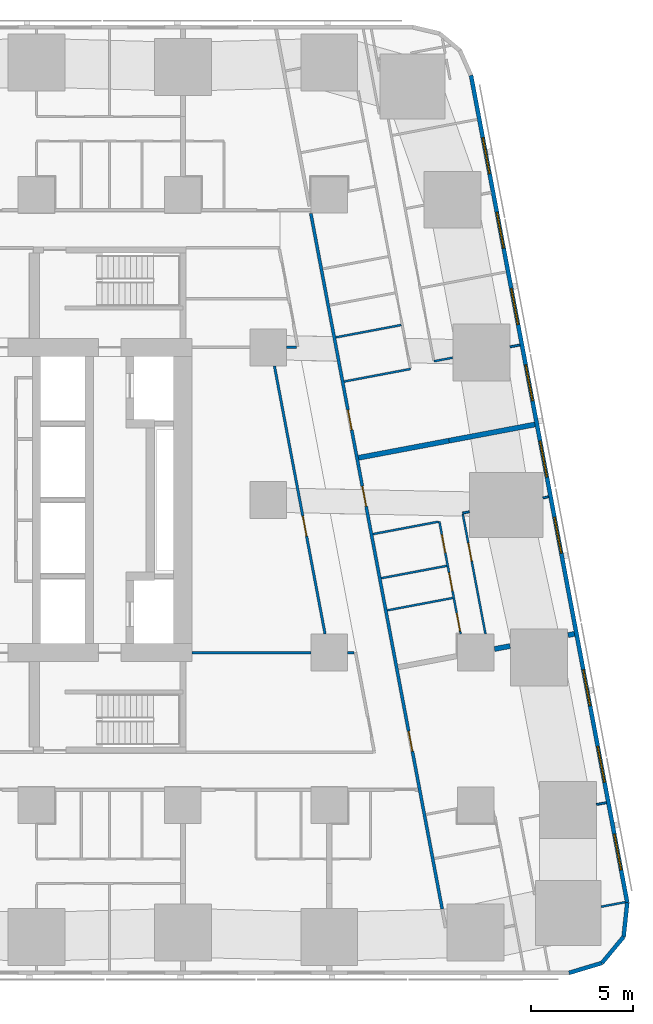
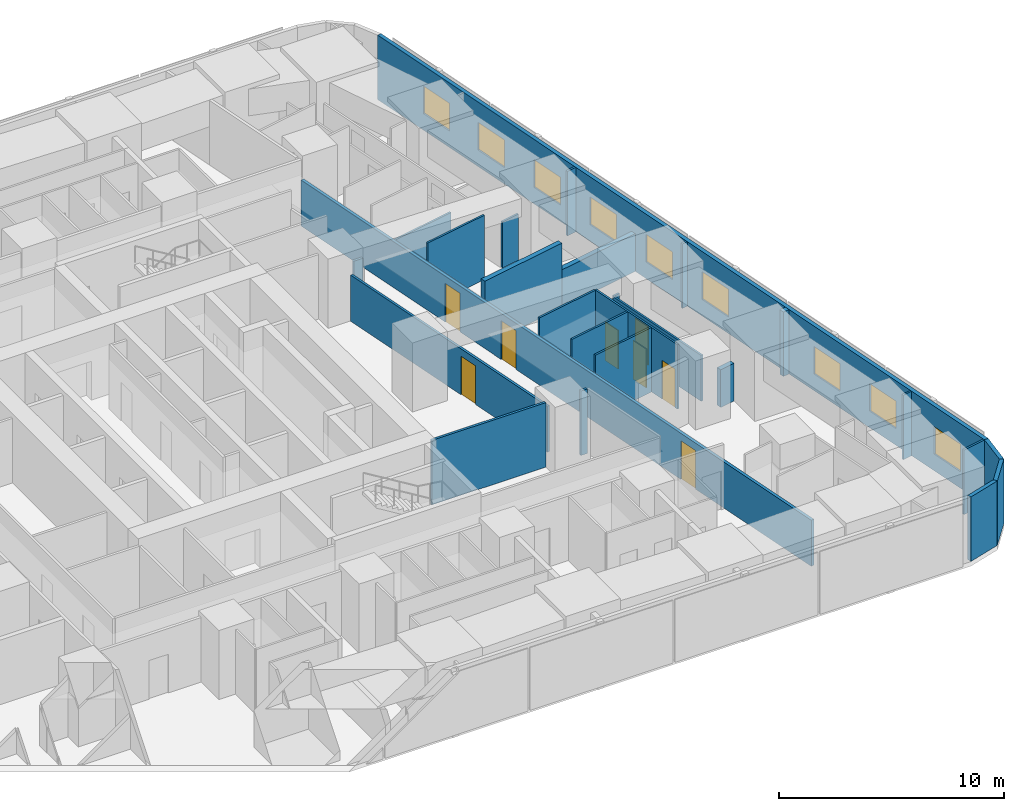
# One storey, part 8 of 16: 26 walls, 9 windows, 8 doors, 17 openings.
"""IFC4 building model written with IfcOpenShell, lengths in metres."""

from ifc_helpers import new_model, si_unit, direction, frame, frame_2d, origin, place, context, subcontext, project, spatial, rectangle, extrude, material, layer, layer_set, type_object, element, fill, save


model = new_model("IFC4")

# Units and contexts
model_context = context("Model", 3, precision=1e-05, world=origin(), true_north=direction((0.0, 1.0)))
body_context = subcontext(model_context, "Body", "Model", "MODEL_VIEW")
ifc_project = project(units=[si_unit("LENGTHUNIT", "METRE"), si_unit("AREAUNIT", "SQUARE_METRE"), si_unit("VOLUMEUNIT", "CUBIC_METRE"), si_unit("PLANEANGLEUNIT", "RADIAN"), si_unit("MASSUNIT", "GRAM", prefix="KILO")], contexts=[model_context])

# Site, building, storey
site_placement = place(None, origin())
site = spatial("IfcSite", under=ifc_project, at=site_placement, CompositionType="ELEMENT")
building_placement = place(site_placement, origin())
building = spatial("IfcBuilding", under=site, at=building_placement, Name="Sheger Commons Tower", CompositionType="ELEMENT")
storey_placement = place(building_placement, frame((0.0, 0.0, 53.75)))
storey = spatial("IfcBuildingStorey", under=building, at=storey_placement, Name="L13", CompositionType="ELEMENT", Elevation=53.75)

# Wall, openings, doors
ifc_material_1 = material(Name="Hollow concrete block masonry, skimmed both sides", Category="masonry")
ifc_layer_1 = layer(ifc_material_1, 0.14990234375)
ifc_layer_set_1 = layer_set([ifc_layer_1], Name="CORRIDOR WALL 150")
wall_type_1 = type_object("IfcWallType", Name="CORRIDOR WALL 150", PredefinedType="SOLIDWALL", material=ifc_layer_set_1)
wall_1_placement = place(storey_placement, frame((35.093994140625, 36.5849609375, 0.0), z_axis=(0.0, 0.0, 1.0), x_axis=(0.185588860311, -0.982627485331, 0.0)))
wall_1 = element("IfcWall", 1, at=wall_1_placement, inside=storey, type_object=wall_type_1, Name="Corridor wall L13", PredefinedType="SOLIDWALL", context=body_context, shape_type="SweptSolid", body=[
    extrude(rectangle(XDim=34.79736328125, YDim=0.14990234375, at=frame_2d((17.398681640625, 0.0))), origin(), (0.0, 0.0, 1.0), 2.5),
])
opening_1_placement = place(wall_1_placement, frame((9.827880859375, 0.0, 0.0)))
opening_1 = element("IfcOpeningElement", 2, at=opening_1_placement, cuts=wall_1, Name="Opening D1", PredefinedType="OPENING", context=body_context, shape_type="SweptSolid", body=[
    extrude(rectangle(XDim=1.0, YDim=2.10009765625, at=frame_2d((0.5, 1.050048828125))), frame((0.0, 0.0849609375, 0.0), z_axis=(0.0, -1.0, 0.0), x_axis=(1.0, 0.0, 0.0)), (0.0, 0.0, 1.0), 0.169921875),
])
opening_2_placement = place(wall_1_placement, frame((13.64501953125, 0.0, 0.0)))
opening_2 = element("IfcOpeningElement", 3, at=opening_2_placement, cuts=wall_1, Name="Opening D1", PredefinedType="OPENING", context=body_context, shape_type="SweptSolid", body=[
    extrude(rectangle(XDim=1.0, YDim=2.10009765625, at=frame_2d((0.5, 1.050048828125))), frame((0.0, 0.0849609375, 0.0), z_axis=(0.0, -1.0, 0.0), x_axis=(1.0, 0.0, 0.0)), (0.0, 0.0, 1.0), 0.169921875),
])
opening_3_placement = place(wall_1_placement, frame((25.89990234375, 0.0, 0.0)))
opening_3 = element("IfcOpeningElement", 4, at=opening_3_placement, cuts=wall_1, Name="Opening D1", PredefinedType="OPENING", context=body_context, shape_type="SweptSolid", body=[
    extrude(rectangle(XDim=1.0, YDim=2.10009765625, at=frame_2d((0.5, 1.050048828125))), frame((0.0, 0.0849609375, 0.0), z_axis=(0.0, -1.0, 0.0), x_axis=(1.0, 0.0, 0.0)), (0.0, 0.0, 1.0), 0.169921875),
])
ifc_material_2 = material(Name="Steel door set, fire rated", Category="steel")
door_type_1 = type_object("IfcDoorType", Name="FLAT ENTRANCE DOOR 1000x2100", OperationType="NOTDEFINED", PredefinedType="DOOR", material=ifc_material_2)
door_1_placement = place(opening_1_placement, origin())
door_1 = element("IfcDoor", 5, at=door_1_placement, inside=storey, type_object=door_type_1, Name="Flat entrance door", OperationType="SINGLE_SWING_LEFT", OverallHeight=2.10009765625, OverallWidth=1.0, PredefinedType="DOOR", context=body_context, shape_type="SweptSolid", body=[
    extrude(rectangle(XDim=1.0, YDim=2.10009765625, at=frame_2d((0.5, 1.050048828125))), frame((0.0, 0.02490234375, 0.0), z_axis=(0.0, -1.0, 0.0), x_axis=(1.0, 0.0, 0.0)), (0.0, 0.0, 1.0), 0.050048828125),
])
fill(opening_1, door_1)
door_2_placement = place(opening_2_placement, origin())
door_2 = element("IfcDoor", 6, at=door_2_placement, inside=storey, type_object=door_type_1, Name="Flat entrance door", OperationType="SINGLE_SWING_LEFT", OverallHeight=2.10009765625, OverallWidth=1.0, PredefinedType="DOOR", context=body_context, shape_type="SweptSolid", body=[
    extrude(rectangle(XDim=1.0, YDim=2.10009765625, at=frame_2d((0.5, 1.050048828125))), frame((0.0, 0.02490234375, 0.0), z_axis=(0.0, -1.0, 0.0), x_axis=(1.0, 0.0, 0.0)), (0.0, 0.0, 1.0), 0.050048828125),
])
fill(opening_2, door_2)
door_3_placement = place(opening_3_placement, origin())
door_3 = element("IfcDoor", 7, at=door_3_placement, inside=storey, type_object=door_type_1, Name="Flat entrance door", OperationType="SINGLE_SWING_RIGHT", OverallHeight=2.10009765625, OverallWidth=1.0, PredefinedType="DOOR", context=body_context, shape_type="SweptSolid", body=[
    extrude(rectangle(XDim=1.0, YDim=2.10009765625, at=frame_2d((0.5, 1.050048828125))), frame((0.0, 0.02490234375, 0.0), z_axis=(0.0, -1.0, 0.0), x_axis=(1.0, 0.0, 0.0)), (0.0, 0.0, 1.0), 0.050048828125),
])
fill(opening_3, door_3)

# Walls
ifc_material_3 = material(Name="Dense concrete block masonry, plastered both sides (separating wall between flats)", Category="masonry")
ifc_layer_2 = layer(ifc_material_3, 0.25)
ifc_layer_set_2 = layer_set([ifc_layer_2], Name="DEMISING WALL 250")
wall_type_2 = type_object("IfcWallType", Name="DEMISING WALL 250", PredefinedType="SOLIDWALL", material=ifc_layer_set_2)
wall_2_placement = place(storey_placement, frame((46.110107421875, 26.212890625, 0.0), z_axis=(0.0, 0.0, 1.0), x_axis=(-0.982633535512, -0.185556823879, 0.0)))
element("IfcWall", 8, at=wall_2_placement, inside=storey, type_object=wall_type_2, Name="Demising wall L13", PredefinedType="SOLIDWALL", context=body_context, shape_type="SweptSolid", body=[
    extrude(rectangle(XDim=4.2998046875, YDim=0.25, at=frame_2d((2.14990234375, 0.0))), origin(), (0.0, 0.0, 1.0), 2.050048828125),
])
wall_3_placement = place(storey_placement, frame((41.885009765625, 25.4150390625, 0.0), z_axis=(0.0, 0.0, 1.0), x_axis=(-0.982612837616, -0.185666398014, 0.0)))
element("IfcWall", 9, at=wall_3_placement, inside=storey, type_object=wall_type_2, Name="Demising wall L13", PredefinedType="SOLIDWALL", context=body_context, shape_type="SweptSolid", body=[
    extrude(rectangle(XDim=4.524658203125, YDim=0.25, at=frame_2d((2.26220703125, 0.0))), origin(), (0.0, 0.0, 1.0), 3.5),
])
wall_4_placement = place(storey_placement, frame((48.054931640625, 15.9169921875, 0.0), z_axis=(0.0, 0.0, 1.0), x_axis=(-0.982510408223, -0.186207673669, 0.0)))
element("IfcWall", 10, at=wall_4_placement, inside=storey, type_object=wall_type_2, Name="Demising wall L13", PredefinedType="SOLIDWALL", context=body_context, shape_type="SweptSolid", body=[
    extrude(rectangle(XDim=0.322509765625, YDim=0.25, at=frame_2d((0.1611328125, 0.0))), origin(), (0.0, 0.0, 1.0), 3.5),
])
wall_5_placement = place(storey_placement, frame((44.889892578125, 15.319091796875, 0.0), z_axis=(0.0, 0.0, 1.0), x_axis=(-0.982540856152, -0.186046945666, 0.0)))
element("IfcWall", 11, at=wall_5_placement, inside=storey, type_object=wall_type_2, Name="Demising wall L13", PredefinedType="SOLIDWALL", context=body_context, shape_type="SweptSolid", body=[
    extrude(rectangle(XDim=0.779541015625, YDim=0.25, at=frame_2d((0.3896484375, 0.0))), origin(), (0.0, 0.0, 1.0), 2.050048828125),
])
ifc_material_4 = material(Name="Rendered concrete block masonry, dark grey", Category="masonry")
ifc_layer_3 = layer(ifc_material_4, 0.199951171875)
ifc_layer_set_3 = layer_set([ifc_layer_3], Name="FACADE WALL 200")
wall_type_3 = type_object("IfcWallType", Name="FACADE WALL 200", PredefinedType="SOLIDWALL", material=ifc_layer_set_3)
wall_6_placement = place(storey_placement, frame((47.791015625, -0.75, 0.0), z_axis=(0.0, 0.0, 1.0), x_axis=(0.957455232626, 0.288581838509, 0.0)))
element("IfcWall", 12, at=wall_6_placement, inside=storey, type_object=wall_type_3, Name="Facade wall L13", PredefinedType="SOLIDWALL", context=body_context, shape_type="SweptSolid", body=[
    extrude(rectangle(XDim=1.687744140625, YDim=0.199951171875, at=frame_2d((0.84375, 0.0))), origin(), (0.0, 0.0, 1.0), 3.5),
])
wall_7_placement = place(storey_placement, frame((49.406982421875, -0.262939453125, 0.0), z_axis=(0.0, 0.0, 1.0), x_axis=(0.638042593423, 0.770001070764, 0.0)))
element("IfcWall", 13, at=wall_7_placement, inside=storey, type_object=wall_type_3, Name="Facade wall L13", PredefinedType="SOLIDWALL", context=body_context, shape_type="SweptSolid", body=[
    extrude(rectangle(XDim=1.672607421875, YDim=0.199951171875, at=frame_2d((0.83642578125, 0.0))), origin(), (0.0, 0.0, 1.0), 3.5),
])
wall_8_placement = place(storey_placement, frame((50.47412109375, 1.02490234375, 0.0), z_axis=(0.0, 0.0, 1.0), x_axis=(0.106047815515, 0.994361031429, 0.0)))
element("IfcWall", 14, at=wall_8_placement, inside=storey, type_object=wall_type_3, Name="Facade wall L13", PredefinedType="SOLIDWALL", context=body_context, shape_type="SweptSolid", body=[
    extrude(rectangle(XDim=1.6875, YDim=0.199951171875, at=frame_2d((0.84375, 0.0))), origin(), (0.0, 0.0, 1.0), 3.5),
])

# Wall, openings, windows
wall_9_placement = place(storey_placement, frame((50.653076171875, 2.702880859375, 0.0), z_axis=(0.0, 0.0, 1.0), x_axis=(-0.185612026696, 0.982623109613, 0.0)))
wall_9 = element("IfcWall", 15, at=wall_9_placement, inside=storey, type_object=wall_type_3, Name="Facade wall L13", PredefinedType="SOLIDWALL", context=body_context, shape_type="SweptSolid", body=[
    extrude(rectangle(XDim=41.393310546875, YDim=0.199951171875, at=frame_2d((20.69677734375, 0.0))), origin(), (0.0, 0.0, 1.0), 3.5),
])
opening_4_placement = place(wall_9_placement, frame((1.633056640625, 0.0, 0.89990234375)))
opening_4 = element("IfcOpeningElement", 16, at=opening_4_placement, cuts=wall_9, Name="Opening W2", PredefinedType="OPENING", context=body_context, shape_type="SweptSolid", body=[
    extrude(rectangle(XDim=1.800048828125, YDim=1.5, at=frame_2d((0.89990234375, 0.75))), frame((0.0, 0.10986328125, 0.0), z_axis=(0.0, -1.0, 0.0), x_axis=(1.0, 0.0, 0.0)), (0.0, 0.0, 1.0), 0.219970703125),
])
opening_5_placement = place(wall_9_placement, frame((6.031982421875, 0.0, 0.89990234375)))
opening_5 = element("IfcOpeningElement", 17, at=opening_5_placement, cuts=wall_9, Name="Opening W2", PredefinedType="OPENING", context=body_context, shape_type="SweptSolid", body=[
    extrude(rectangle(XDim=1.800048828125, YDim=1.5, at=frame_2d((0.89990234375, 0.75))), frame((0.0, 0.10986328125, 0.0), z_axis=(0.0, -1.0, 0.0), x_axis=(1.0, 0.0, 0.0)), (0.0, 0.0, 1.0), 0.219970703125),
])
opening_6_placement = place(wall_9_placement, frame((9.847900390625, 0.0, 0.89990234375)))
opening_6 = element("IfcOpeningElement", 18, at=opening_6_placement, cuts=wall_9, Name="Opening W2", PredefinedType="OPENING", context=body_context, shape_type="SweptSolid", body=[
    extrude(rectangle(XDim=1.800048828125, YDim=1.5, at=frame_2d((0.89990234375, 0.75))), frame((0.0, 0.10986328125, 0.0), z_axis=(0.0, -1.0, 0.0), x_axis=(1.0, 0.0, 0.0)), (0.0, 0.0, 1.0), 0.219970703125),
])
opening_7_placement = place(wall_9_placement, frame((17.48095703125, 0.0, 0.89990234375)))
opening_7 = element("IfcOpeningElement", 19, at=opening_7_placement, cuts=wall_9, Name="Opening W2", PredefinedType="OPENING", context=body_context, shape_type="SweptSolid", body=[
    extrude(rectangle(XDim=1.800048828125, YDim=1.5, at=frame_2d((0.89990234375, 0.75))), frame((0.0, 0.10986328125, 0.0), z_axis=(0.0, -1.0, 0.0), x_axis=(1.0, 0.0, 0.0)), (0.0, 0.0, 1.0), 0.219970703125),
])
opening_8_placement = place(wall_9_placement, frame((21.297119140625, 0.0, 0.89990234375)))
opening_8 = element("IfcOpeningElement", 20, at=opening_8_placement, cuts=wall_9, Name="Opening W2", PredefinedType="OPENING", context=body_context, shape_type="SweptSolid", body=[
    extrude(rectangle(XDim=1.800048828125, YDim=1.5, at=frame_2d((0.89990234375, 0.75))), frame((0.0, 0.10986328125, 0.0), z_axis=(0.0, -1.0, 0.0), x_axis=(1.0, 0.0, 0.0)), (0.0, 0.0, 1.0), 0.219970703125),
])
opening_9_placement = place(wall_9_placement, frame((25.113037109375, 0.0, 0.89990234375)))
opening_9 = element("IfcOpeningElement", 21, at=opening_9_placement, cuts=wall_9, Name="Opening W2", PredefinedType="OPENING", context=body_context, shape_type="SweptSolid", body=[
    extrude(rectangle(XDim=1.800048828125, YDim=1.5, at=frame_2d((0.89990234375, 0.75))), frame((0.0, 0.10986328125, 0.0), z_axis=(0.0, -1.0, 0.0), x_axis=(1.0, 0.0, 0.0)), (0.0, 0.0, 1.0), 0.219970703125),
])
opening_10_placement = place(wall_9_placement, frame((28.929931640625, 0.0, 0.89990234375)))
opening_10 = element("IfcOpeningElement", 22, at=opening_10_placement, cuts=wall_9, Name="Opening W2", PredefinedType="OPENING", context=body_context, shape_type="SweptSolid", body=[
    extrude(rectangle(XDim=1.800048828125, YDim=1.5, at=frame_2d((0.89990234375, 0.75))), frame((0.0, 0.10986328125, 0.0), z_axis=(0.0, -1.0, 0.0), x_axis=(1.0, 0.0, 0.0)), (0.0, 0.0, 1.0), 0.219970703125),
])
opening_11_placement = place(wall_9_placement, frame((32.74609375, 0.0, 0.89990234375)))
opening_11 = element("IfcOpeningElement", 23, at=opening_11_placement, cuts=wall_9, Name="Opening W2", PredefinedType="OPENING", context=body_context, shape_type="SweptSolid", body=[
    extrude(rectangle(XDim=1.800048828125, YDim=1.5, at=frame_2d((0.89990234375, 0.75))), frame((0.0, 0.10986328125, 0.0), z_axis=(0.0, -1.0, 0.0), x_axis=(1.0, 0.0, 0.0)), (0.0, 0.0, 1.0), 0.219970703125),
])
opening_12_placement = place(wall_9_placement, frame((36.48095703125, 0.0, 0.89990234375)))
opening_12 = element("IfcOpeningElement", 24, at=opening_12_placement, cuts=wall_9, Name="Opening W2", PredefinedType="OPENING", context=body_context, shape_type="SweptSolid", body=[
    extrude(rectangle(XDim=1.800048828125, YDim=1.5, at=frame_2d((0.89990234375, 0.75))), frame((0.0, 0.10986328125, 0.0), z_axis=(0.0, -1.0, 0.0), x_axis=(1.0, 0.0, 0.0)), (0.0, 0.0, 1.0), 0.219970703125),
])
ifc_material_5 = material(Name="Black aluminium frame, dark tinted double glazing", Category="aluminium")
window_type = type_object("IfcWindowType", Name="WINDOW W2 1800x1500", PartitioningType="SINGLE_PANEL", PredefinedType="WINDOW", material=ifc_material_5)
window_1_placement = place(opening_4_placement, origin())
window_1 = element("IfcWindow", 25, at=window_1_placement, inside=storey, type_object=window_type, Name="Window W2 1800X1500", OverallHeight=1.5, OverallWidth=1.800048828125, PartitioningType="SINGLE_PANEL", PredefinedType="WINDOW", context=body_context, shape_type="SweptSolid", body=[
    extrude(rectangle(XDim=1.800048828125, YDim=1.5, at=frame_2d((0.89990234375, 0.75))), frame((0.0, 0.030029296875, 0.0), z_axis=(0.0, -1.0, 0.0), x_axis=(1.0, 0.0, 0.0)), (0.0, 0.0, 1.0), 0.06005859375),
])
fill(opening_4, window_1)
window_2_placement = place(opening_5_placement, origin())
window_2 = element("IfcWindow", 26, at=window_2_placement, inside=storey, type_object=window_type, Name="Window W2 1800X1500", OverallHeight=1.5, OverallWidth=1.800048828125, PartitioningType="SINGLE_PANEL", PredefinedType="WINDOW", context=body_context, shape_type="SweptSolid", body=[
    extrude(rectangle(XDim=1.800048828125, YDim=1.5, at=frame_2d((0.89990234375, 0.75))), frame((0.0, 0.030029296875, 0.0), z_axis=(0.0, -1.0, 0.0), x_axis=(1.0, 0.0, 0.0)), (0.0, 0.0, 1.0), 0.06005859375),
])
fill(opening_5, window_2)
window_3_placement = place(opening_6_placement, origin())
window_3 = element("IfcWindow", 27, at=window_3_placement, inside=storey, type_object=window_type, Name="Window W2 1800X1500", OverallHeight=1.5, OverallWidth=1.800048828125, PartitioningType="SINGLE_PANEL", PredefinedType="WINDOW", context=body_context, shape_type="SweptSolid", body=[
    extrude(rectangle(XDim=1.800048828125, YDim=1.5, at=frame_2d((0.89990234375, 0.75))), frame((0.0, 0.030029296875, 0.0), z_axis=(0.0, -1.0, 0.0), x_axis=(1.0, 0.0, 0.0)), (0.0, 0.0, 1.0), 0.06005859375),
])
fill(opening_6, window_3)
window_4_placement = place(opening_7_placement, origin())
window_4 = element("IfcWindow", 28, at=window_4_placement, inside=storey, type_object=window_type, Name="Window W2 1800X1500", OverallHeight=1.5, OverallWidth=1.800048828125, PartitioningType="SINGLE_PANEL", PredefinedType="WINDOW", context=body_context, shape_type="SweptSolid", body=[
    extrude(rectangle(XDim=1.800048828125, YDim=1.5, at=frame_2d((0.89990234375, 0.75))), frame((0.0, 0.030029296875, 0.0), z_axis=(0.0, -1.0, 0.0), x_axis=(1.0, 0.0, 0.0)), (0.0, 0.0, 1.0), 0.06005859375),
])
fill(opening_7, window_4)
window_5_placement = place(opening_8_placement, origin())
window_5 = element("IfcWindow", 29, at=window_5_placement, inside=storey, type_object=window_type, Name="Window W2 1800X1500", OverallHeight=1.5, OverallWidth=1.800048828125, PartitioningType="SINGLE_PANEL", PredefinedType="WINDOW", context=body_context, shape_type="SweptSolid", body=[
    extrude(rectangle(XDim=1.800048828125, YDim=1.5, at=frame_2d((0.89990234375, 0.75))), frame((0.0, 0.030029296875, 0.0), z_axis=(0.0, -1.0, 0.0), x_axis=(1.0, 0.0, 0.0)), (0.0, 0.0, 1.0), 0.06005859375),
])
fill(opening_8, window_5)
window_6_placement = place(opening_9_placement, origin())
window_6 = element("IfcWindow", 30, at=window_6_placement, inside=storey, type_object=window_type, Name="Window W2 1800X1500", OverallHeight=1.5, OverallWidth=1.800048828125, PartitioningType="SINGLE_PANEL", PredefinedType="WINDOW", context=body_context, shape_type="SweptSolid", body=[
    extrude(rectangle(XDim=1.800048828125, YDim=1.5, at=frame_2d((0.89990234375, 0.75))), frame((0.0, 0.030029296875, 0.0), z_axis=(0.0, -1.0, 0.0), x_axis=(1.0, 0.0, 0.0)), (0.0, 0.0, 1.0), 0.06005859375),
])
fill(opening_9, window_6)
window_7_placement = place(opening_10_placement, origin())
window_7 = element("IfcWindow", 31, at=window_7_placement, inside=storey, type_object=window_type, Name="Window W2 1800X1500", OverallHeight=1.5, OverallWidth=1.800048828125, PartitioningType="SINGLE_PANEL", PredefinedType="WINDOW", context=body_context, shape_type="SweptSolid", body=[
    extrude(rectangle(XDim=1.800048828125, YDim=1.5, at=frame_2d((0.89990234375, 0.75))), frame((0.0, 0.030029296875, 0.0), z_axis=(0.0, -1.0, 0.0), x_axis=(1.0, 0.0, 0.0)), (0.0, 0.0, 1.0), 0.06005859375),
])
fill(opening_10, window_7)
window_8_placement = place(opening_11_placement, origin())
window_8 = element("IfcWindow", 32, at=window_8_placement, inside=storey, type_object=window_type, Name="Window W2 1800X1500", OverallHeight=1.5, OverallWidth=1.800048828125, PartitioningType="SINGLE_PANEL", PredefinedType="WINDOW", context=body_context, shape_type="SweptSolid", body=[
    extrude(rectangle(XDim=1.800048828125, YDim=1.5, at=frame_2d((0.89990234375, 0.75))), frame((0.0, 0.030029296875, 0.0), z_axis=(0.0, -1.0, 0.0), x_axis=(1.0, 0.0, 0.0)), (0.0, 0.0, 1.0), 0.06005859375),
])
fill(opening_11, window_8)
window_9_placement = place(opening_12_placement, origin())
window_9 = element("IfcWindow", 33, at=window_9_placement, inside=storey, type_object=window_type, Name="Window W2 1800X1500", OverallHeight=1.5, OverallWidth=1.800048828125, PartitioningType="SINGLE_PANEL", PredefinedType="WINDOW", context=body_context, shape_type="SweptSolid", body=[
    extrude(rectangle(XDim=1.800048828125, YDim=1.5, at=frame_2d((0.89990234375, 0.75))), frame((0.0, 0.030029296875, 0.0), z_axis=(0.0, -1.0, 0.0), x_axis=(1.0, 0.0, 0.0)), (0.0, 0.0, 1.0), 0.06005859375),
])
fill(opening_12, window_9)

# Walls
ifc_material_6 = material(Name="Gypsum board on steel studs", Category="steel")
ifc_layer_4 = layer(ifc_material_6, 0.10009765625)
ifc_layer_set_4 = layer_set([ifc_layer_4], Name="PARTITION 100")
wall_type_4 = type_object("IfcWallType", Name="PARTITION 100", PredefinedType="PARTITIONING", material=ifc_layer_set_4)
wall_10_placement = place(storey_placement, frame((45.3720703125, 30.12109375, 0.0), z_axis=(0.0, 0.0, 1.0), x_axis=(-0.982629142467, -0.185580086147, 0.0)))
element("IfcWall", 34, at=wall_10_placement, inside=storey, type_object=wall_type_4, Name="Partition L13", PredefinedType="PARTITIONING", context=body_context, shape_type="SweptSolid", body=[
    extrude(rectangle(XDim=0.49072265625, YDim=0.10009765625, at=frame_2d((0.245361328125, 0.0))), origin(), (0.0, 0.0, 1.0), 3.5),
])
wall_11_placement = place(storey_placement, frame((42.070068359375, 29.4970703125, 0.0), z_axis=(0.0, 0.0, 1.0), x_axis=(-0.982490624992, -0.186312028067, 0.0)))
element("IfcWall", 35, at=wall_11_placement, inside=storey, type_object=wall_type_4, Name="Partition L13", PredefinedType="PARTITIONING", context=body_context, shape_type="SweptSolid", body=[
    extrude(rectangle(XDim=0.939453125, YDim=0.10009765625, at=frame_2d((0.4697265625, 0.0))), origin(), (0.0, 0.0, 1.0), 2.5),
])
wall_12_placement = place(storey_placement, frame((39.9970703125, 28.94189453125, 0.0), z_axis=(0.0, 0.0, 1.0), x_axis=(-0.982569883123, -0.185893584556, 0.0)))
element("IfcWall", 36, at=wall_12_placement, inside=storey, type_object=wall_type_4, Name="Partition L13", PredefinedType="PARTITIONING", context=body_context, shape_type="SweptSolid", body=[
    extrude(rectangle(XDim=3.323974609375, YDim=0.10009765625, at=frame_2d((1.662109375, 0.0))), origin(), (0.0, 0.0, 1.0), 3.5),
])
wall_13_placement = place(storey_placement, frame((39.5380859375, 31.10400390625, 0.0), z_axis=(0.0, 0.0, 1.0), x_axis=(-0.982620626894, -0.185625169636, 0.0)))
element("IfcWall", 37, at=wall_13_placement, inside=storey, type_object=wall_type_4, Name="Partition L13", PredefinedType="PARTITIONING", context=body_context, shape_type="SweptSolid", body=[
    extrude(rectangle(XDim=3.27490234375, YDim=0.10009765625, at=frame_2d((1.637451171875, 0.0))), origin(), (0.0, 0.0, 1.0), 2.5),
])

# Wall, opening, door
wall_14_placement = place(storey_placement, frame((42.56494140625, 21.80908203125, 0.0), z_axis=(0.0, 0.0, 1.0), x_axis=(0.185719768524, -0.982602751665, 0.0)))
wall_14 = element("IfcWall", 38, at=wall_14_placement, inside=storey, type_object=wall_type_4, Name="Partition L13", PredefinedType="PARTITIONING", context=body_context, shape_type="SweptSolid", body=[
    extrude(rectangle(XDim=6.003662109375, YDim=0.10009765625, at=frame_2d((3.001953125, 0.0))), origin(), (0.0, 0.0, 1.0), 2.5),
])
opening_13_placement = place(wall_14_placement, frame((1.449951171875, 0.0, 0.0)))
opening_13 = element("IfcOpeningElement", 39, at=opening_13_placement, cuts=wall_14, Name="Opening D2", PredefinedType="OPENING", context=body_context, shape_type="SweptSolid", body=[
    extrude(rectangle(XDim=0.89990234375, YDim=2.10009765625, at=frame_2d((0.449951171875, 1.050048828125))), frame((0.0, 0.06005859375, 0.0), z_axis=(0.0, -1.0, 0.0), x_axis=(1.0, 0.0, 0.0)), (0.0, 0.0, 1.0), 0.1201171875),
])
ifc_material_7 = material(Name="Timber door set", Category="wood")
door_type_2 = type_object("IfcDoorType", Name="INTERNAL DOOR 900x2100", OperationType="NOTDEFINED", PredefinedType="DOOR", material=ifc_material_7)
door_4_placement = place(opening_13_placement, origin())
door_4 = element("IfcDoor", 40, at=door_4_placement, inside=storey, type_object=door_type_2, Name="Main bedroom door", OperationType="SINGLE_SWING_RIGHT", OverallHeight=2.10009765625, OverallWidth=0.89990234375, PredefinedType="DOOR", context=body_context, shape_type="SweptSolid", body=[
    extrude(rectangle(XDim=0.89990234375, YDim=2.10009765625, at=frame_2d((0.449951171875, 1.050048828125))), frame((0.0, 0.02490234375, 0.0), z_axis=(0.0, -1.0, 0.0), x_axis=(1.0, 0.0, 0.0)), (0.0, 0.0, 1.0), 0.050048828125),
])
fill(opening_13, door_4)

# Wall, openings, doors
wall_15_placement = place(storey_placement, frame((41.4140625, 21.44189453125, 0.0), z_axis=(0.0, 0.0, 1.0), x_axis=(0.185605379031, -0.982624365297, 0.0)))
wall_15 = element("IfcWall", 41, at=wall_15_placement, inside=storey, type_object=wall_type_4, Name="Partition L13", PredefinedType="PARTITIONING", context=body_context, shape_type="SweptSolid", body=[
    extrude(rectangle(XDim=5.6298828125, YDim=0.10009765625, at=frame_2d((2.81494140625, 0.0))), origin(), (0.0, 0.0, 1.0), 3.5),
])
opening_14_placement = place(wall_15_placement, frame((0.655029296875, 0.0, 0.0)))
opening_14 = element("IfcOpeningElement", 42, at=opening_14_placement, cuts=wall_15, Name="Opening D2", PredefinedType="OPENING", context=body_context, shape_type="SweptSolid", body=[
    extrude(rectangle(XDim=0.89990234375, YDim=2.10009765625, at=frame_2d((0.449951171875, 1.050048828125))), frame((0.0, 0.06005859375, 0.0), z_axis=(0.0, -1.0, 0.0), x_axis=(1.0, 0.0, 0.0)), (0.0, 0.0, 1.0), 0.1201171875),
])
opening_15_placement = place(wall_15_placement, frame((4.580078125, 0.0, 0.0)))
opening_15 = element("IfcOpeningElement", 43, at=opening_15_placement, cuts=wall_15, Name="Opening D2", PredefinedType="OPENING", context=body_context, shape_type="SweptSolid", body=[
    extrude(rectangle(XDim=0.89990234375, YDim=2.10009765625, at=frame_2d((0.449951171875, 1.050048828125))), frame((0.0, 0.06005859375, 0.0), z_axis=(0.0, -1.0, 0.0), x_axis=(1.0, 0.0, 0.0)), (0.0, 0.0, 1.0), 0.1201171875),
])
opening_16_placement = place(wall_15_placement, frame((2.56201171875, 0.0, 0.0)))
opening_16 = element("IfcOpeningElement", 44, at=opening_16_placement, cuts=wall_15, Name="Opening D2", PredefinedType="OPENING", context=body_context, shape_type="SweptSolid", body=[
    extrude(rectangle(XDim=0.89990234375, YDim=2.10009765625, at=frame_2d((0.449951171875, 1.050048828125))), frame((0.0, 0.06005859375, 0.0), z_axis=(0.0, -1.0, 0.0), x_axis=(1.0, 0.0, 0.0)), (0.0, 0.0, 1.0), 0.1201171875),
])
door_5_placement = place(opening_14_placement, origin())
door_5 = element("IfcDoor", 45, at=door_5_placement, inside=storey, type_object=door_type_2, Name="Bathroom door", OperationType="SINGLE_SWING_RIGHT", OverallHeight=2.10009765625, OverallWidth=0.89990234375, PredefinedType="DOOR", context=body_context, shape_type="SweptSolid", body=[
    extrude(rectangle(XDim=0.89990234375, YDim=2.10009765625, at=frame_2d((0.449951171875, 1.050048828125))), frame((0.0, 0.02490234375, 0.0), z_axis=(0.0, -1.0, 0.0), x_axis=(1.0, 0.0, 0.0)), (0.0, 0.0, 1.0), 0.050048828125),
])
fill(opening_14, door_5)
door_6_placement = place(opening_15_placement, origin())
door_6 = element("IfcDoor", 46, at=door_6_placement, inside=storey, type_object=door_type_2, Name="Store and laundry door", OperationType="SINGLE_SWING_LEFT", OverallHeight=2.10009765625, OverallWidth=0.89990234375, PredefinedType="DOOR", context=body_context, shape_type="SweptSolid", body=[
    extrude(rectangle(XDim=0.89990234375, YDim=2.10009765625, at=frame_2d((0.449951171875, 1.050048828125))), frame((0.0, 0.02490234375, 0.0), z_axis=(0.0, -1.0, 0.0), x_axis=(1.0, 0.0, 0.0)), (0.0, 0.0, 1.0), 0.050048828125),
])
fill(opening_15, door_6)
door_7_placement = place(opening_16_placement, origin())
door_7 = element("IfcDoor", 47, at=door_7_placement, inside=storey, type_object=door_type_2, Name="Store door", OperationType="SINGLE_SWING_LEFT", OverallHeight=2.10009765625, OverallWidth=0.89990234375, PredefinedType="DOOR", context=body_context, shape_type="SweptSolid", body=[
    extrude(rectangle(XDim=0.89990234375, YDim=2.10009765625, at=frame_2d((0.449951171875, 1.050048828125))), frame((0.0, 0.02490234375, 0.0), z_axis=(0.0, -1.0, 0.0), x_axis=(1.0, 0.0, 0.0)), (0.0, 0.0, 1.0), 0.050048828125),
])
fill(opening_16, door_7)

# Walls
wall_16_placement = place(storey_placement, frame((46.781982421875, 22.656982421875, 0.0), z_axis=(0.0, 0.0, 1.0), x_axis=(-0.982574553168, -0.185868898601, 0.0)))
element("IfcWall", 48, at=wall_16_placement, inside=storey, type_object=wall_type_4, Name="Partition L13", PredefinedType="PARTITIONING", context=body_context, shape_type="SweptSolid", body=[
    extrude(rectangle(XDim=0.27978515625, YDim=0.10009765625, at=frame_2d((0.139892578125, 0.0))), origin(), (0.0, 0.0, 1.0), 3.5),
])
wall_17_placement = place(storey_placement, frame((42.886962890625, 21.9208984375, 0.0), z_axis=(0.0, 0.0, 1.0), x_axis=(-0.982274918032, -0.187445953293, 0.0)))
element("IfcWall", 49, at=wall_17_placement, inside=storey, type_object=wall_type_4, Name="Partition L13", PredefinedType="PARTITIONING", context=body_context, shape_type="SweptSolid", body=[
    extrude(rectangle(XDim=0.3359375, YDim=0.10009765625, at=frame_2d((0.16796875, 0.0))), origin(), (0.0, 0.0, 1.0), 2.5),
])
for number, where, z_axis, x_axis, name in (
    (50, (41.364990234375, 21.43310546875, 0.0), (0.0, 0.0, 1.0), (-0.982607026909, -0.185697147715, 0.0), "Partition L13"),
    (51, (42.072998046875, 17.68310546875, 0.0), (0.0, 0.0, 1.0), (-0.982607026909, -0.185697147715, 0.0), "Partition L13"),
    (52, (41.77490234375, 19.260986328125, 0.0), (0.0, 0.0, 1.0), (-0.982620626894, -0.185625169636, 0.0), "Partition L13"),
):
    element("IfcWall", number, at=place(storey_placement, frame(where, z_axis=z_axis, x_axis=x_axis)), inside=storey, type_object=wall_type_4, Name=name, PredefinedType="PARTITIONING", context=body_context, shape_type="SweptSolid", body=[
        extrude(rectangle(XDim=3.27490234375, YDim=0.10009765625, at=frame_2d((1.637451171875, 0.0))), origin(), (0.0, 0.0, 1.0), 3.5),
    ])
wall_18_placement = place(storey_placement, frame((49.6220703125, 7.6201171875, 0.0), z_axis=(0.0, 0.0, 1.0), x_axis=(-0.982629142467, -0.185580086147, 0.0)))
element("IfcWall", 53, at=wall_18_placement, inside=storey, type_object=wall_type_4, Name="Partition L13", PredefinedType="PARTITIONING", context=body_context, shape_type="SweptSolid", body=[
    extrude(rectangle(XDim=0.49072265625, YDim=0.10009765625, at=frame_2d((0.245361328125, 0.0))), origin(), (0.0, 0.0, 1.0), 3.5),
])
wall_19_placement = place(storey_placement, frame((50.547119140625, 2.72607421875, 0.0), z_axis=(0.0, 0.0, 1.0), x_axis=(-0.982553313503, -0.185981144539, 0.0)))
element("IfcWall", 54, at=wall_19_placement, inside=storey, type_object=wall_type_4, Name="Partition L13", PredefinedType="PARTITIONING", context=body_context, shape_type="SweptSolid", body=[
    extrude(rectangle(XDim=1.210205078125, YDim=0.10009765625, at=frame_2d((0.60498046875, 0.0))), origin(), (0.0, 0.0, 1.0), 3.5),
])

# Wall, opening, door
ifc_material_8 = material(Name="Gypsum board on steel studs, two layers each side, fire rated", Category="steel")
ifc_layer_5 = layer(ifc_material_8, 0.125)
ifc_layer_set_5 = layer_set([ifc_layer_5], Name="SERVICE WALL 125")
wall_type_5 = type_object("IfcWallType", Name="SERVICE WALL 125", PredefinedType="PARTITIONING", material=ifc_layer_set_5)
wall_20_placement = place(storey_placement, frame((35.79296875, 15.9130859375, 0.0), z_axis=(0.0, 0.0, 1.0), x_axis=(-0.185651708232, 0.982615613162, 0.0)))
wall_20 = element("IfcWall", 55, at=wall_20_placement, inside=storey, type_object=wall_type_5, Name="Service room wall L13", PredefinedType="PARTITIONING", context=body_context, shape_type="SweptSolid", body=[
    extrude(rectangle(XDim=13.406982421875, YDim=0.125, at=frame_2d((6.70361328125, 0.0))), origin(), (0.0, 0.0, 1.0), 2.5),
])
opening_17_placement = place(wall_20_placement, frame((4.89990234375, 0.0, 0.0)))
opening_17 = element("IfcOpeningElement", 56, at=opening_17_placement, cuts=wall_20, Name="Opening D4", PredefinedType="OPENING", context=body_context, shape_type="SweptSolid", body=[
    extrude(rectangle(XDim=1.0, YDim=2.10009765625, at=frame_2d((0.5, 1.050048828125))), frame((0.0, 0.072509765625, 0.0), z_axis=(0.0, -1.0, 0.0), x_axis=(1.0, 0.0, 0.0)), (0.0, 0.0, 1.0), 0.14501953125),
])
ifc_material_9 = material(Name="Steel door set, fire rated", Category="steel")
door_type_3 = type_object("IfcDoorType", Name="SERVICE DOOR 1000x2100", OperationType="NOTDEFINED", PredefinedType="DOOR", material=ifc_material_9)
door_8_placement = place(opening_17_placement, origin())
door_8 = element("IfcDoor", 57, at=door_8_placement, inside=storey, type_object=door_type_3, Name="Residents' gym door", OperationType="SINGLE_SWING_LEFT", OverallHeight=2.10009765625, OverallWidth=1.0, PredefinedType="DOOR", context=body_context, shape_type="SweptSolid", body=[
    extrude(rectangle(XDim=1.0, YDim=2.10009765625, at=frame_2d((0.5, 1.050048828125))), frame((0.0, 0.02490234375, 0.0), z_axis=(0.0, -1.0, 0.0), x_axis=(1.0, 0.0, 0.0)), (0.0, 0.0, 1.0), 0.050048828125),
])
fill(opening_17, door_8)

# Walls
wall_21_placement = place(storey_placement, frame((29.25, 15.0, 0.0), z_axis=(0.0, 0.0, 1.0), x_axis=(1.0, 0.0, 0.0)))
element("IfcWall", 58, at=wall_21_placement, inside=storey, type_object=wall_type_5, Name="Service room wall L13", PredefinedType="PARTITIONING", context=body_context, shape_type="SweptSolid", body=[
    extrude(rectangle(XDim=5.84912109375, YDim=0.125, at=frame_2d((2.924560546875, 0.0))), origin(), (0.0, 0.0, 1.0), 3.5),
])
wall_22_placement = place(storey_placement, frame((36.90087890625, 15.0, 0.0), z_axis=(0.0, 0.0, 1.0), x_axis=(1.0, 0.0, 0.0)))
element("IfcWall", 59, at=wall_22_placement, inside=storey, type_object=wall_type_5, Name="Service room wall L13", PredefinedType="PARTITIONING", context=body_context, shape_type="SweptSolid", body=[
    extrude(rectangle(XDim=0.326171875, YDim=0.125, at=frame_2d((0.1630859375, 0.0))), origin(), (0.0, 0.0, 1.0), 3.5),
])
wall_23_placement = place(storey_placement, frame((33.90087890625, 30.0, 0.0), z_axis=(0.0, 0.0, 1.0), x_axis=(1.0, 0.0, 0.0)))
element("IfcWall", 60, at=wall_23_placement, inside=storey, type_object=wall_type_5, Name="Service room wall L13", PredefinedType="PARTITIONING", context=body_context, shape_type="SweptSolid", body=[
    extrude(rectangle(XDim=0.47900390625, YDim=0.125, at=frame_2d((0.239501953125, 0.0))), origin(), (0.0, 0.0, 1.0), 2.5),
])

save(model, "model.ifc")
